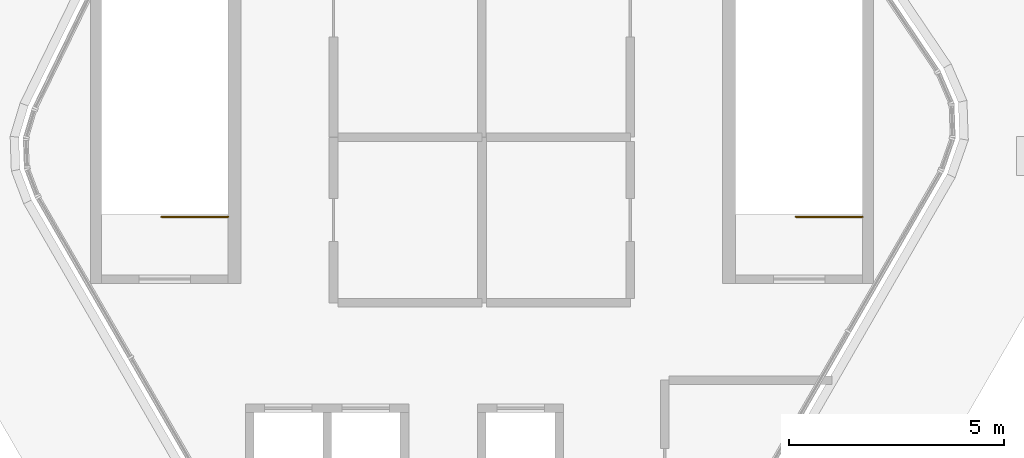
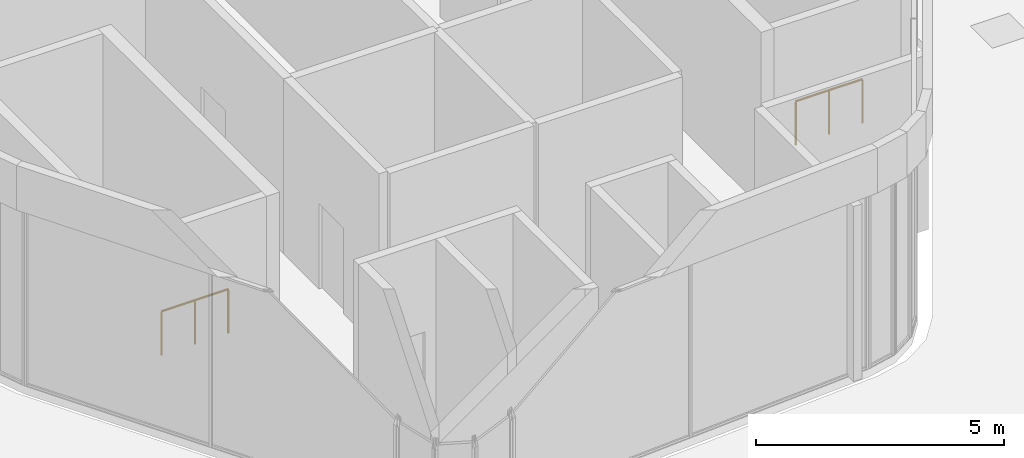
# One storey, part 6 of 6: 2 railings.
"""IFC4 building model written with IfcOpenShell, lengths in metres."""

import ifcopenshell
import ifcopenshell.guid

model = None  # the IFC model being written
_history = None  # IfcOwnerHistory: only IFC2X3 demands one
_inside = {}  # id of a spatial element -> (the spatial element, [elements in it])
_under = {}  # id of a project, library or spatial element -> (it, [spatial elements below it])
_declared = {}  # id of a project -> (the project, [libraries it declares])
_typed = {}  # id of a type object -> (the type object, [elements of that type])
_made_of = {}  # id of a material, layer set ... -> (it, [elements and type objects made of it])


def new_model(schema):
    """Start an empty IFC model of exactly this schema.

    Asked for "IFC4X3", IfcOpenShell would pick the latest addendum, in which some entities
    have other attributes; the version numbers below select the first issue.
    IFC2X3 requires an IfcOwnerHistory on every rooted entity: one is made here for all.
    """
    global model, _history
    if schema == "IFC4X3":
        model = ifcopenshell.file(schema_version=(4, 3, 0, 0))
    else:
        model = ifcopenshell.file(schema=schema)
    _inside.clear()
    _under.clear()
    _declared.clear()
    _typed.clear()
    _made_of.clear()
    _history = None
    if model.schema == "IFC2X3":
        org = make("IfcOrganization", Name="unknown")
        user = make(
            "IfcPersonAndOrganization",
            ThePerson=make("IfcPerson", FamilyName="unknown"),
            TheOrganization=org,
        )
        app = make(
            "IfcApplication",
            ApplicationDeveloper=org,
            Version="unknown",
            ApplicationFullName="unknown",
            ApplicationIdentifier="unknown",
        )
        _history = make(
            "IfcOwnerHistory",
            OwningUser=user,
            OwningApplication=app,
            ChangeAction="ADDED",
            CreationDate=0,
        )
    return model


def make(cls, **values):
    """One entity of the class cls with the attributes given. An attribute that is None is left unset."""
    return model.create_entity(
        cls, **{name: value for name, value in values.items() if value is not None}
    )


def rooted(cls, **values):
    """An entity with a GlobalId (a new one), such as an element, a storey or a relation."""
    return make(cls, GlobalId=ifcopenshell.guid.new(), OwnerHistory=_history, **values)


def si_unit(unit_type, name, prefix=None):
    """IfcSIUnit, for example si_unit("LENGTHUNIT", "METRE", prefix="MILLI")."""
    return make("IfcSIUnit", UnitType=unit_type, Prefix=prefix, Name=name)


def assignment(units):
    """IfcUnitAssignment: the units of a project."""
    return None if units is None else make("IfcUnitAssignment", Units=units)


def point(xyz):
    """IfcCartesianPoint."""
    return None if xyz is None else make("IfcCartesianPoint", Coordinates=xyz)


def direction(xyz):
    """IfcDirection."""
    return None if xyz is None else make("IfcDirection", DirectionRatios=xyz)


def frame(location, z_axis=None, x_axis=None):
    """IfcAxis2Placement3D, a coordinate frame: its origin and axes. An axis left out is left unset."""
    return make(
        "IfcAxis2Placement3D",
        Location=point(location),
        Axis=direction(z_axis),
        RefDirection=direction(x_axis),
    )


def frame_2d(location, x_axis=None):
    """IfcAxis2Placement2D, a coordinate frame in the plane: its origin and x axis."""
    return make(
        "IfcAxis2Placement2D", Location=point(location), RefDirection=direction(x_axis)
    )


def origin():
    """The frame at (0, 0, 0) with its axes left unset."""
    return frame((0.0, 0.0, 0.0))


def origin_2d():
    """The frame at (0, 0) in the plane with its x axis left unset."""
    return frame_2d((0.0, 0.0))


def place(relative_to, where):
    """IfcLocalPlacement: puts the frame where relative to a parent placement (None: the world)."""
    return make(
        "IfcLocalPlacement", PlacementRelTo=relative_to, RelativePlacement=where
    )


def context(
    kind, dimensions, precision=None, world=None, true_north=None, identifier=None
):
    """IfcGeometricRepresentationContext, for example the 3D "Model" context."""
    return make(
        "IfcGeometricRepresentationContext",
        ContextIdentifier=identifier,
        ContextType=kind,
        CoordinateSpaceDimension=dimensions,
        Precision=precision,
        WorldCoordinateSystem=world,
        TrueNorth=true_north,
    )


def subcontext(parent, identifier, kind, view, scale=None):
    """IfcGeometricRepresentationSubContext, for example "Body" below "Model"."""
    return make(
        "IfcGeometricRepresentationSubContext",
        ContextIdentifier=identifier,
        ContextType=kind,
        ParentContext=parent,
        TargetScale=scale,
        TargetView=view,
    )


def project(units=None, contexts=None):
    """IfcProject with its units and contexts."""
    return rooted(
        "IfcProject",
        Name="project",
        RepresentationContexts=contexts,
        UnitsInContext=assignment(units),
    )


def spatial(cls, under=None, at=None, **own):
    """A site, building, storey or space (cls), placed at a placement, below another one or the project."""
    s = rooted(cls, ObjectPlacement=at, **own)
    if under is not None:
        _under.setdefault(under.id(), (under, []))[1].append(s)
    return s


def profile(cls, at=None, kind="AREA", **sizes):
    """A parametric profile (cls). Its sizes go by their IFC names, for example OverallWidth=200.0."""
    return make(cls, ProfileType=kind, Position=at, **sizes)


def circle(**sizes):
    """IfcCircleProfileDef."""
    return profile("IfcCircleProfileDef", **sizes)


def extrude(swept, where, along, depth):
    """IfcExtrudedAreaSolid: the profile swept, set in the frame where, extruded along a direction by depth."""
    return make(
        "IfcExtrudedAreaSolid",
        SweptArea=swept,
        Position=where,
        ExtrudedDirection=direction(along),
        Depth=depth,
    )


def shape(context_of_items, identifier, shape_type, items):
    """IfcShapeRepresentation: the items that make up one representation, for example the "Body"."""
    return make(
        "IfcShapeRepresentation",
        ContextOfItems=context_of_items,
        RepresentationIdentifier=identifier,
        RepresentationType=shape_type,
        Items=items,
    )


def material(Name=None, Category=None):
    """IfcMaterial."""
    return make("IfcMaterial", Name=Name, Category=Category)


def made_of(thing, what):
    """Note that an element or type object is made of a material, layer set ...; save() writes the relation."""
    if what is not None:
        _made_of.setdefault(what.id(), (what, []))[1].append(thing)
    return thing


def type_object(cls, material=None, **own):
    """A type object (cls), such as IfcWallType, which elements share."""
    return made_of(rooted(cls, **own), material)


def element(
    cls,
    number,
    at=None,
    inside=None,
    cuts=None,
    type_object=None,
    material=None,
    context=None,
    identifier="Body",
    shape_type=None,
    held_by="IfcProductDefinitionShape",
    body=None,
    shapes=None,
    **own,
):
    """One element of the class cls, such as IfcWall. Its Tag is "e" and its number.

    at: its placement. inside: the storey or other place that contains it. cuts: it is an
    opening in that element (IfcRelVoidsElement). A single representation is given by context,
    identifier, shape_type and body (its items); several are given by shapes. held_by: the class
    of the entity that holds the representations. save() writes the other relations.
    """
    e = rooted(cls, Tag="e%d" % number, ObjectPlacement=at, **own)
    if body is not None:
        shapes = [shape(context, identifier, shape_type, body)]
    if shapes is not None:
        e.Representation = make(held_by, Representations=shapes)
    if inside is not None:
        _inside.setdefault(inside.id(), (inside, []))[1].append(e)
    if cuts is not None:
        rooted(
            "IfcRelVoidsElement", RelatingBuildingElement=cuts, RelatedOpeningElement=e
        )
    if type_object is not None:
        _typed.setdefault(type_object.id(), (type_object, []))[1].append(e)
    return made_of(e, material)


def aggregate(whole, parts):
    """IfcRelAggregates: a whole, such as a stair, and the parts it consists of."""
    return rooted("IfcRelAggregates", RelatingObject=whole, RelatedObjects=parts)


def save(model, path):
    """Write the relations noted so far, then the file.

    IfcRelAggregates (storeys below a building ...), IfcRelContainedInSpatialStructure (elements
    in a storey), IfcRelDefinesByType, IfcRelAssociatesMaterial and IfcRelDeclares: one each for
    every whole, place, type object, material and project.
    """
    for whole, parts in _under.values():
        aggregate(whole, parts)
    for where, things in _inside.values():
        rooted(
            "IfcRelContainedInSpatialStructure",
            RelatedElements=things,
            RelatingStructure=where,
        )
    for kind, things in _typed.values():
        rooted("IfcRelDefinesByType", RelatedObjects=things, RelatingType=kind)
    for what, things in _made_of.values():
        rooted("IfcRelAssociatesMaterial", RelatedObjects=things, RelatingMaterial=what)
    for by, libraries in _declared.values():
        rooted("IfcRelDeclares", RelatingContext=by, RelatedDefinitions=libraries)
    model.write(path)


model = new_model("IFC4")

# Units and contexts
model_context = context("Model", 3, precision=1e-05, world=origin(), true_north=direction((0.0, 1.0)))
body_context = subcontext(model_context, "Body", "Model", "MODEL_VIEW")
ifc_project = project(units=[si_unit("LENGTHUNIT", "METRE"), si_unit("AREAUNIT", "SQUARE_METRE"), si_unit("VOLUMEUNIT", "CUBIC_METRE"), si_unit("PLANEANGLEUNIT", "RADIAN"), si_unit("MASSUNIT", "GRAM", prefix="KILO")], contexts=[model_context])

# Site, building, storey
site_placement = place(None, origin())
site = spatial("IfcSite", under=ifc_project, at=site_placement, CompositionType="ELEMENT")
building_placement = place(site_placement, origin())
building = spatial("IfcBuilding", under=site, at=building_placement, Name="Tarnside Tower", CompositionType="ELEMENT")
storey_placement = place(building_placement, frame((0.0, 0.0, 406.199951171875)))
storey = spatial("IfcBuildingStorey", under=building, at=storey_placement, Name="L96", CompositionType="ELEMENT", Elevation=406.199951171875)

# Railings
ifc_material = material(Name="Stainless steel", Category="steel")
railing_type = type_object("IfcRailingType", Name="Stair guard 1100", PredefinedType="GUARDRAIL", material=ifc_material)
for number, where, name in (
    (1, (8.85009765625, -1.85009765625, 0.0), "L96 ST1 top well guard 1"),
    (2, (-5.89990234375, -1.85009765625, 0.0), "L96 ST2 top well guard 1"),
):
    element("IfcRailing", number, at=place(storey_placement, frame(where)), inside=storey, type_object=railing_type, Name=name, PredefinedType="GUARDRAIL", context=body_context, shape_type="SweptSolid", body=[
        extrude(circle(Radius=0.02392578125, at=origin_2d()), frame((0.0, 0.0, 1.076171875), z_axis=(-1.0, 0.0, 0.0), x_axis=(0.0, -1.0, 0.0)), (0.0, 0.0, 1.0), 1.550048828125),
        extrude(circle(Radius=0.02099609375, at=origin_2d()), origin(), (0.0, 0.0, 1.0), 1.052001953125),
        extrude(circle(Radius=0.02099609375, at=origin_2d()), frame((-0.77490234375, 0.0, 0.0)), (0.0, 0.0, 1.0), 1.052001953125),
        extrude(circle(Radius=0.02099609375, at=origin_2d()), frame((-1.550048828125, 0.0, 0.0)), (0.0, 0.0, 1.0), 1.052001953125),
    ])

save(model, "model.ifc")
